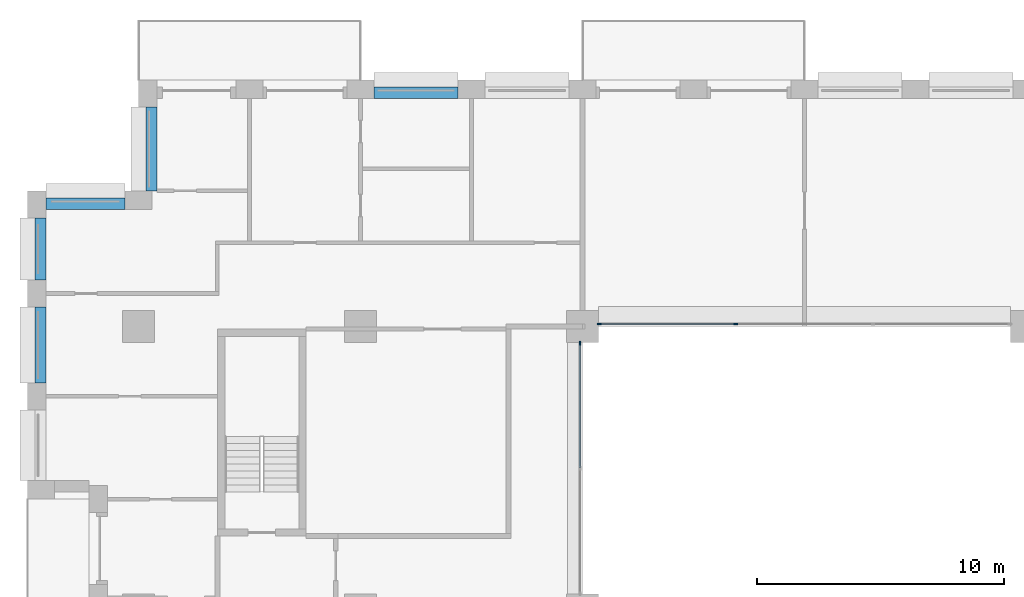
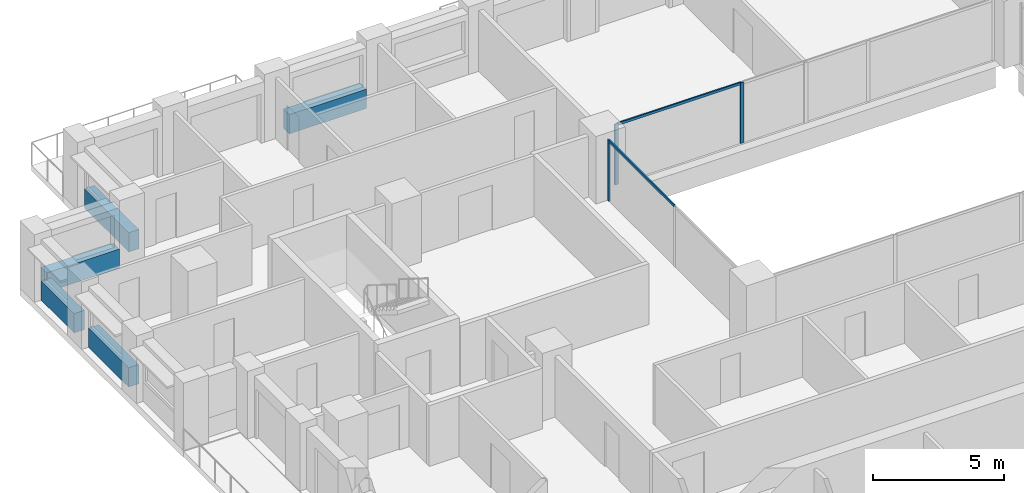
# One storey, part 5 of 16: 5 beams, 5 members, 2 elements without a shape of their own.
"""IFC4 building model written with IfcOpenShell, lengths in metres."""

from ifc_helpers import new_model, si_unit, direction, frame, origin, origin_2d, place, context, subcontext, project, spatial, rectangle, extrude, material, layer, layer_set, material_profile, profile_set, type_object, element, aggregate, save


model = new_model("IFC4")

# Units and contexts
model_context = context("Model", 3, precision=1e-05, world=origin(), true_north=direction((0.0, 1.0)))
body_context = subcontext(model_context, "Body", "Model", "MODEL_VIEW")
ifc_project = project(units=[si_unit("LENGTHUNIT", "METRE"), si_unit("AREAUNIT", "SQUARE_METRE"), si_unit("VOLUMEUNIT", "CUBIC_METRE"), si_unit("PLANEANGLEUNIT", "RADIAN"), si_unit("MASSUNIT", "GRAM", prefix="KILO")], contexts=[model_context])

# Site, building, storey
site_placement = place(None, origin())
site = spatial("IfcSite", under=ifc_project, at=site_placement, CompositionType="ELEMENT")
building_placement = place(site_placement, origin())
building = spatial("IfcBuilding", under=site, at=building_placement, Name="Brigalow Station Residences", CompositionType="ELEMENT")
storey_placement = place(building_placement, frame((0.0, 0.0, 89.85009765625)))
storey = spatial("IfcBuildingStorey", under=building, at=storey_placement, Name="L25", CompositionType="ELEMENT", Elevation=89.85009765625)

# Curtain wall, members
ifc_material_1 = material(Name="Aluminium", Category="aluminium")
ifc_layer = layer(ifc_material_1, 0.14990234375)
ifc_layer_set = layer_set([ifc_layer], Name="ATRIUM FIRE-RATED GLAZING CURTAIN WALL")
curtain_wall_type = type_object("IfcCurtainWallType", Name="ATRIUM FIRE-RATED GLAZING CURTAIN WALL", PredefinedType="NOTDEFINED", material=ifc_layer_set)
curtain_wall_1_placement = place(storey_placement, origin())
curtain_wall_1 = element("IfcCurtainWall", 1, at=curtain_wall_1_placement, inside=storey, type_object=curtain_wall_type, Name="L25/cw/atrium-N", PredefinedType="NOTDEFINED")
ifc_material_2 = material(Name="Aluminium", Category="aluminium")
ifc_material_profile_1 = material_profile(ifc_material_2, rectangle(XDim=0.06005859375, YDim=0.14990234375, at=origin_2d()), Name="ATRIUM FIRE-RATED GLAZING MULLION 60x150")
ifc_profile_set_1 = profile_set([ifc_material_profile_1], Name="Aluminium")
member_type_1 = type_object("IfcMemberType", Name="ATRIUM FIRE-RATED GLAZING MULLION 60x150", PredefinedType="MULLION", material=ifc_profile_set_1)
member_1_placement = place(storey_placement, frame((33.216796875, 35.60009765625, 0.0), z_axis=(0.0, 0.0, 1.0), x_axis=(0.0, -1.0, 0.0)))
member_1 = element("IfcMember", 2, at=member_1_placement, type_object=member_type_1, Name="L25/cw/atrium-N/M02", PredefinedType="MULLION", context=body_context, shape_type="SweptSolid", body=[
    extrude(rectangle(XDim=0.06005859375, YDim=0.14990234375, at=origin_2d()), origin(), (0.0, 0.0, 1.0), 2.829833984375),
])
member_2_placement = place(storey_placement, frame((27.679931640625, 35.60009765625, 0.0), z_axis=(0.0, 0.0, 1.0), x_axis=(0.0, -1.0, 0.0)))
member_2 = element("IfcMember", 3, at=member_2_placement, type_object=member_type_1, Name="L25/cw/atrium-N/M03", PredefinedType="MULLION", context=body_context, shape_type="SweptSolid", body=[
    extrude(rectangle(XDim=0.06005859375, YDim=0.14990234375, at=origin_2d()), origin(), (0.0, 0.0, 1.0), 2.829833984375),
])

# Curtain wall, member
curtain_wall_2_placement = place(storey_placement, origin())
curtain_wall_2 = element("IfcCurtainWall", 4, at=curtain_wall_2_placement, inside=storey, type_object=curtain_wall_type, Name="L25/cw/atrium-W", PredefinedType="NOTDEFINED")
member_3_placement = place(storey_placement, frame((26.89990234375, 34.820068359375, 0.0), z_axis=(0.0, 0.0, 1.0), x_axis=(1.0, 0.0, 0.0)))
member_3 = element("IfcMember", 5, at=member_3_placement, type_object=member_type_1, Name="L25/cw/atrium-W/M00", PredefinedType="MULLION", context=body_context, shape_type="SweptSolid", body=[
    extrude(rectangle(XDim=0.06005859375, YDim=0.14990234375, at=origin_2d()), origin(), (0.0, 0.0, 1.0), 2.829833984375),
])

# Member
ifc_material_3 = material(Name="Aluminium", Category="aluminium")
ifc_material_profile_2 = material_profile(ifc_material_3, rectangle(XDim=0.06005859375, YDim=0.1201171875, at=origin_2d()), Name="ATRIUM FIRE-RATED GLAZING TRANSOM 60x120")
ifc_profile_set_2 = profile_set([ifc_material_profile_2], Name="Aluminium")
member_type_2 = type_object("IfcMemberType", Name="ATRIUM FIRE-RATED GLAZING TRANSOM 60x120", PredefinedType="USERDEFINED", material=ifc_profile_set_2)
member_4_placement = place(storey_placement, frame((33.186767578125, 35.60009765625, 2.7998046875), z_axis=(-1.0, 0.0, 0.0), x_axis=(0.0, -1.0, 0.0)))
member_4 = element("IfcMember", 6, at=member_4_placement, type_object=member_type_2, Name="L25/cw/atrium-N/T02-00", ObjectType="TRANSOM", PredefinedType="USERDEFINED", context=body_context, shape_type="SweptSolid", body=[
    extrude(rectangle(XDim=0.06005859375, YDim=0.1201171875, at=origin_2d()), origin(), (0.0, 0.0, 1.0), 5.476806640625),
])

aggregate(curtain_wall_1, [member_1, member_2, member_4])

member_5_placement = place(storey_placement, frame((26.89990234375, 34.7900390625, 2.7998046875), z_axis=(0.0, -1.0, 0.0), x_axis=(1.0, 0.0, 0.0)))
member_5 = element("IfcMember", 7, at=member_5_placement, type_object=member_type_2, Name="L25/cw/atrium-W/T00-00", ObjectType="TRANSOM", PredefinedType="USERDEFINED", context=body_context, shape_type="SweptSolid", body=[
    extrude(rectangle(XDim=0.06005859375, YDim=0.1201171875, at=origin_2d()), origin(), (0.0, 0.0, 1.0), 5.010009765625),
])

aggregate(curtain_wall_2, [member_3, member_5])

# Beams
ifc_material_4 = material(Name="Concrete C65", Category="concrete")
ifc_material_profile_3 = material_profile(ifc_material_4, rectangle(XDim=0.449951171875, YDim=0.89990234375, at=origin_2d()), Name="RC450x900")
ifc_profile_set_3 = profile_set([ifc_material_profile_3], Name="Concrete C65")
beam_type = type_object("IfcBeamType", Name="SPANDREL BEAM 450x900 C65", PredefinedType="SPANDREL", material=ifc_profile_set_3)
for number, where, z_axis, x_axis, name in (
    (8, (21.949951171875, 44.97509765625, 0.449951171875), (-1.0, 0.0, 0.0), (0.0, -1.0, 0.0), "L25/spandrel/W-L25-34"),
    (9, (9.52490234375, 44.39990234375, 0.449951171875), (0.0, -1.0, 0.0), (1.0, 0.0, 0.0), "L25/spandrel/W-L25-37"),
):
    element("IfcBeam", number, at=place(storey_placement, frame(where, z_axis=z_axis, x_axis=x_axis)), inside=storey, type_object=beam_type, Name=name, PredefinedType="SPANDREL", context=body_context, shape_type="SweptSolid", body=[
        extrude(rectangle(XDim=0.449951171875, YDim=0.89990234375, at=origin_2d()), origin(), (0.0, 0.0, 1.0), 3.39990234375),
    ])
beam_1_placement = place(storey_placement, frame((8.449951171875, 40.47509765625, 0.449951171875), z_axis=(-1.0, 0.0, 0.0), x_axis=(0.0, -1.0, 0.0)))
element("IfcBeam", 10, at=beam_1_placement, inside=storey, type_object=beam_type, Name="L25/spandrel/W-L25-38", PredefinedType="SPANDREL", context=body_context, shape_type="SweptSolid", body=[
    extrude(rectangle(XDim=0.449951171875, YDim=0.89990234375, at=origin_2d()), origin(), (0.0, 0.0, 1.0), 3.199951171875),
])
beam_2_placement = place(storey_placement, frame((5.02490234375, 39.89990234375, 0.449951171875), z_axis=(0.0, -1.0, 0.0), x_axis=(1.0, 0.0, 0.0)))
element("IfcBeam", 11, at=beam_2_placement, inside=storey, type_object=beam_type, Name="L25/spandrel/W-L25-39", PredefinedType="SPANDREL", context=body_context, shape_type="SweptSolid", body=[
    extrude(rectangle(XDim=0.449951171875, YDim=0.89990234375, at=origin_2d()), origin(), (0.0, 0.0, 1.0), 2.516845703125),
])
beam_3_placement = place(storey_placement, frame((5.02490234375, 36.282958984375, 0.449951171875), z_axis=(0.0, -1.0, 0.0), x_axis=(1.0, 0.0, 0.0)))
element("IfcBeam", 12, at=beam_3_placement, inside=storey, type_object=beam_type, Name="L25/spandrel/W-L25-40", PredefinedType="SPANDREL", context=body_context, shape_type="SweptSolid", body=[
    extrude(rectangle(XDim=0.449951171875, YDim=0.89990234375, at=origin_2d()), origin(), (0.0, 0.0, 1.0), 3.06591796875),
])

save(model, "model.ifc")
